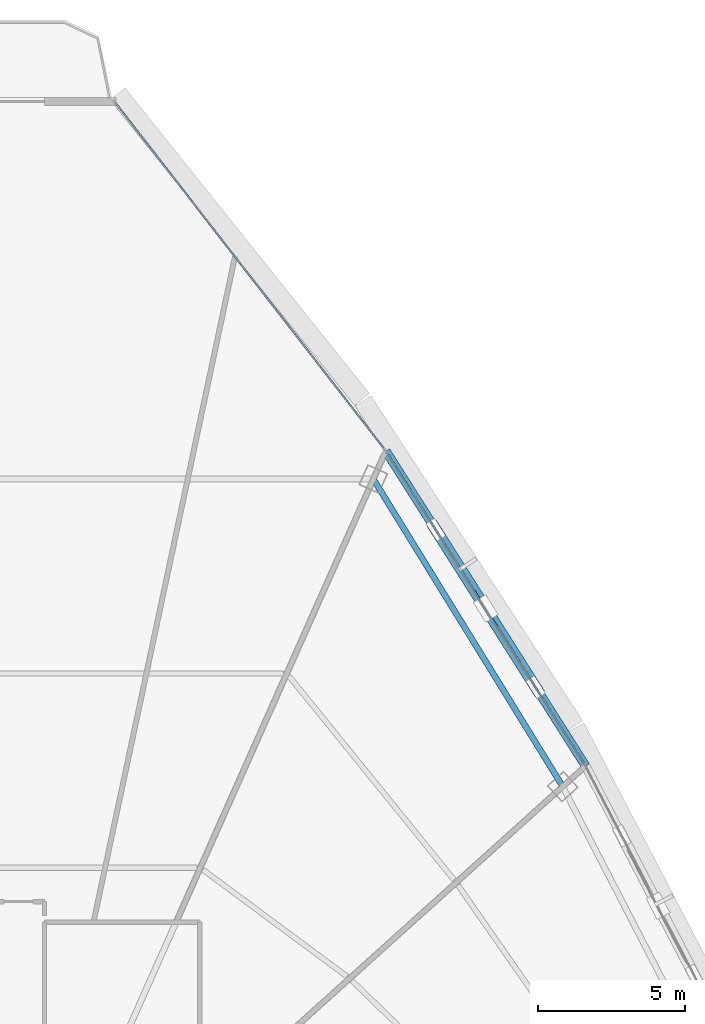
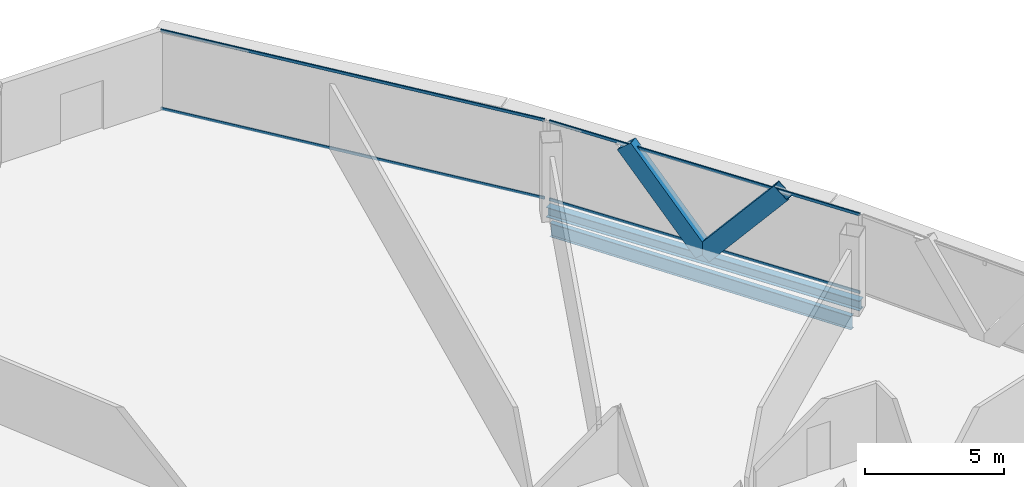
# One storey, part 24 of 33: 6 members, 2 beams, 2 elements without a shape of their own.
"""IFC4 building model written with IfcOpenShell, lengths in metres."""

from ifc_helpers import new_model, si_unit, direction, frame, origin, origin_2d, place, context, subcontext, project, spatial, hollow_rectangle, i_section, extrude, source, transform, mapped, material, layer, layer_set, material_profile, profile_set, type_object, element, aggregate, save


model = new_model("IFC4")

# Units and contexts
model_context = context("Model", 3, precision=1e-05, world=origin(), true_north=direction((0.0, 1.0)))
body_context = subcontext(model_context, "Body", "Model", "MODEL_VIEW")
ifc_project = project(units=[si_unit("LENGTHUNIT", "METRE"), si_unit("AREAUNIT", "SQUARE_METRE"), si_unit("VOLUMEUNIT", "CUBIC_METRE"), si_unit("PLANEANGLEUNIT", "RADIAN"), si_unit("MASSUNIT", "GRAM", prefix="KILO"), si_unit("THERMODYNAMICTEMPERATUREUNIT", "KELVIN"), si_unit("POWERUNIT", "WATT")], contexts=[model_context])

# Site, building, storey
site_placement = place(None, origin())
site = spatial("IfcSite", under=ifc_project, at=site_placement, CompositionType="ELEMENT")
building_placement = place(site_placement, origin())
building = spatial("IfcBuilding", under=site, at=building_placement, Name="Yunzhuo Pagoda Commons", CompositionType="ELEMENT")
storey_placement = place(building_placement, frame((0.0, 0.0, 311.1298828125)))
storey = spatial("IfcBuildingStorey", under=building, at=storey_placement, Name="L78", CompositionType="ELEMENT", Elevation=311.1298828125)

# Beams
ifc_material_1 = material(Name="Structural steel Q355B", Category="steel")
ifc_material_profile_1 = material_profile(ifc_material_1, i_section(OverallWidth=0.199951171875, OverallDepth=0.60009765625, WebThickness=0.010986328125, FlangeThickness=0.01708984375, at=origin_2d()), Name="Structural steel Q355B")
ifc_profile_set_1 = profile_set([ifc_material_profile_1], Name="Structural steel Q355B")
beam_type_1 = type_object("IfcBeamType", Name="B-RG3 Beam HN 600x200x11x17", PredefinedType="BEAM", material=ifc_profile_set_1)
shared_shape_1 = source(origin(), body_context, "Body", "SweptSolid", [
    extrude(i_section(OverallWidth=0.199951171875, OverallDepth=0.60009765625, WebThickness=0.010986328125, FlangeThickness=0.01708984375, at=origin_2d()), origin(), (0.0, 0.0, 1.0), 12.315185546875),
])
beam_1_placement = place(storey_placement, frame((66.5732421875, 50.423583984375, -0.559814453125), z_axis=(-0.524469015689, 0.851429534126, 0.0), x_axis=(-0.851429534126, -0.524469015689, 0.0)))
element("IfcBeam", 1, at=beam_1_placement, inside=storey, type_object=beam_type_1, Name="L78 column-ring beam 7", PredefinedType="BEAM", context=body_context, shape_type="MappedRepresentation", body=[
    mapped(shared_shape_1, transform((0.0, 0.0, 0.0), scale=1.0)),
])
ifc_material_profile_2 = material_profile(ifc_material_1, i_section(OverallWidth=0.300048828125, OverallDepth=0.43994140625, WebThickness=0.010986328125, FlangeThickness=0.01806640625, at=origin_2d()), Name="Structural steel Q355B")
ifc_profile_set_2 = profile_set([ifc_material_profile_2], Name="Structural steel Q355B")
beam_type_2 = type_object("IfcBeamType", Name="B-SP2 Beam HM 440x300x11x18", PredefinedType="BEAM", material=ifc_profile_set_2)
shared_shape_2 = source(origin(), body_context, "Body", "SweptSolid", [
    extrude(i_section(OverallWidth=0.300048828125, OverallDepth=0.43994140625, WebThickness=0.010986328125, FlangeThickness=0.01806640625, at=origin_2d()), origin(), (0.0, 0.0, 1.0), 12.72021484375),
])
beam_2_placement = place(storey_placement, frame((67.353515625, 51.1259765625, -0.47998046875), z_axis=(-0.535527335228, 0.844517893963, 0.0), x_axis=(-0.844517893963, -0.535527335228, 0.0)))
element("IfcBeam", 2, at=beam_2_placement, inside=storey, type_object=beam_type_2, Name="L78 facade edge spandrel beam F2.3", PredefinedType="BEAM", context=body_context, shape_type="MappedRepresentation", body=[
    mapped(shared_shape_2, transform((0.0, 0.0, 0.0), scale=1.0)),
])

# Members
ifc_material_profile_3 = material_profile(ifc_material_1, hollow_rectangle(XDim=0.3798828125, YDim=0.719970703125, WallThickness=0.02001953125, at=origin_2d()), Name="Structural steel Q355B")
ifc_profile_set_3 = profile_set([ifc_material_profile_3], Name="Structural steel Q355B")
member_type_1 = type_object("IfcMemberType", Name="M-DL3 Brace BOX 720x380x20", PredefinedType="BRACE", material=ifc_profile_set_3)
shared_shape_3 = source(origin(), body_context, "Body", "SweptSolid", [
    extrude(hollow_rectangle(XDim=0.3798828125, YDim=0.719970703125, WallThickness=0.02001953125, at=origin_2d()), origin(), (0.0, 0.0, 1.0), 4.90185546875),
])
member_1_placement = place(storey_placement, frame((63.947509765625, 56.49755859375, -0.259765625), z_axis=(0.347401264993, -0.547972575979, 0.760945738575), x_axis=(0.84457377562, 0.535439200596, 0.0)))
element("IfcMember", 3, at=member_1_placement, inside=storey, type_object=member_type_1, Name="L78 facade diamond brace F2.3L", PredefinedType="BRACE", context=body_context, shape_type="MappedRepresentation", body=[
    mapped(shared_shape_3, transform((0.0, 0.0, 0.0), scale=1.0)),
])
shared_shape_4 = source(origin(), body_context, "Body", "SweptSolid", [
    extrude(hollow_rectangle(XDim=0.3798828125, YDim=0.719970703125, WallThickness=0.02001953125, at=origin_2d()), origin(), (0.0, 0.0, 1.0), 4.9013671875),
])
member_2_placement = place(storey_placement, frame((63.947509765625, 56.49755859375, -0.259765625), z_axis=(-0.347473506184, 0.547858528457, 0.760994872057), x_axis=(-0.844473005624, -0.53559811685, 0.0)))
element("IfcMember", 4, at=member_2_placement, inside=storey, type_object=member_type_1, Name="L78 facade diamond brace F2.3R", PredefinedType="BRACE", context=body_context, shape_type="MappedRepresentation", body=[
    mapped(shared_shape_4, transform((0.0, 0.0, 0.0), scale=1.0)),
])

# Curtain wall, members
ifc_material_2 = material(Name="Anodized aluminium 6063-T6", Category="aluminium")
ifc_layer = layer(ifc_material_2, 0.139892578125)
ifc_layer_set = layer_set([ifc_layer], Name="Anodized aluminium 6063-T6")
curtain_wall_type = type_object("IfcCurtainWallType", Name="CW-HI High-Zone Ribbon Curtain Wall", PredefinedType="NOTDEFINED", material=ifc_layer_set)
curtain_wall_1_placement = place(storey_placement, origin())
curtain_wall_1 = element("IfcCurtainWall", 5, at=curtain_wall_1_placement, inside=storey, type_object=curtain_wall_type, Name="L78 curtain wall CW-L78-F2B4", PredefinedType="NOTDEFINED")
ifc_material_profile_4 = material_profile(ifc_material_2, hollow_rectangle(XDim=0.054931640625, YDim=0.1201171875, WallThickness=0.00341796875, at=origin_2d()), Name="Anodized aluminium 6063-T6")
ifc_profile_set_4 = profile_set([ifc_material_profile_4], Name="Anodized aluminium 6063-T6")
member_type_2 = type_object("IfcMemberType", Name="CW-HI-T Transom RHS 120x55x3.5", PredefinedType="USERDEFINED", material=ifc_profile_set_4)
shared_shape_5 = source(origin(), body_context, "Body", "SweptSolid", [
    extrude(hollow_rectangle(XDim=0.054931640625, YDim=0.1201171875, WallThickness=0.00341796875, at=origin_2d()), origin(), (0.0, 0.0, 1.0), 12.600341796875),
])
member_3_placement = place(storey_placement, frame((67.321533203125, 51.1767578125, 0.027587890625), z_axis=(-0.535543373516, 0.844507723519, 0.0), x_axis=(-0.844507723519, -0.535543373516, 0.0)))
member_3 = element("IfcMember", 6, at=member_3_placement, type_object=member_type_2, Name="CW transom 1.1", ObjectType="TRANSOM", PredefinedType="USERDEFINED", context=body_context, shape_type="MappedRepresentation", body=[
    mapped(shared_shape_5, transform((0.0, 0.0, 0.0), scale=1.0)),
])
member_4_placement = place(storey_placement, frame((67.321533203125, 51.1767578125, 3.442626953125), z_axis=(-0.535543373516, 0.844507723519, 0.0), x_axis=(-0.844507723519, -0.535543373516, 0.0)))
member_4 = element("IfcMember", 7, at=member_4_placement, type_object=member_type_2, Name="CW transom 1.2", ObjectType="TRANSOM", PredefinedType="USERDEFINED", context=body_context, shape_type="MappedRepresentation", body=[
    mapped(shared_shape_5, transform((0.0, 0.0, 0.0), scale=1.0)),
])
aggregate(curtain_wall_1, [member_3, member_4])

curtain_wall_2_placement = place(storey_placement, origin())
curtain_wall_2 = element("IfcCurtainWall", 8, at=curtain_wall_2_placement, inside=storey, type_object=curtain_wall_type, Name="L78 curtain wall CW-L78-F2B5", PredefinedType="NOTDEFINED")
shared_shape_6 = source(origin(), body_context, "Body", "SweptSolid", [
    extrude(hollow_rectangle(XDim=0.054931640625, YDim=0.1201171875, WallThickness=0.00341796875, at=origin_2d()), origin(), (0.0, 0.0, 1.0), 14.89453125),
])
member_5_placement = place(storey_placement, frame((60.45849609375, 61.97509765625, 0.027587890625), z_axis=(-0.613382144037, 0.789786265629, 0.0), x_axis=(-0.789786265629, -0.613382144037, 0.0)))
member_5 = element("IfcMember", 9, at=member_5_placement, type_object=member_type_2, Name="CW transom 1.1", ObjectType="TRANSOM", PredefinedType="USERDEFINED", context=body_context, shape_type="MappedRepresentation", body=[
    mapped(shared_shape_6, transform((0.0, 0.0, 0.0), scale=1.0)),
])
member_6_placement = place(storey_placement, frame((60.45849609375, 61.97509765625, 3.442626953125), z_axis=(-0.613382144037, 0.789786265629, 0.0), x_axis=(-0.789786265629, -0.613382144037, 0.0)))
member_6 = element("IfcMember", 10, at=member_6_placement, type_object=member_type_2, Name="CW transom 1.2", ObjectType="TRANSOM", PredefinedType="USERDEFINED", context=body_context, shape_type="MappedRepresentation", body=[
    mapped(shared_shape_6, transform((0.0, 0.0, 0.0), scale=1.0)),
])
aggregate(curtain_wall_2, [member_5, member_6])

save(model, "model.ifc")
